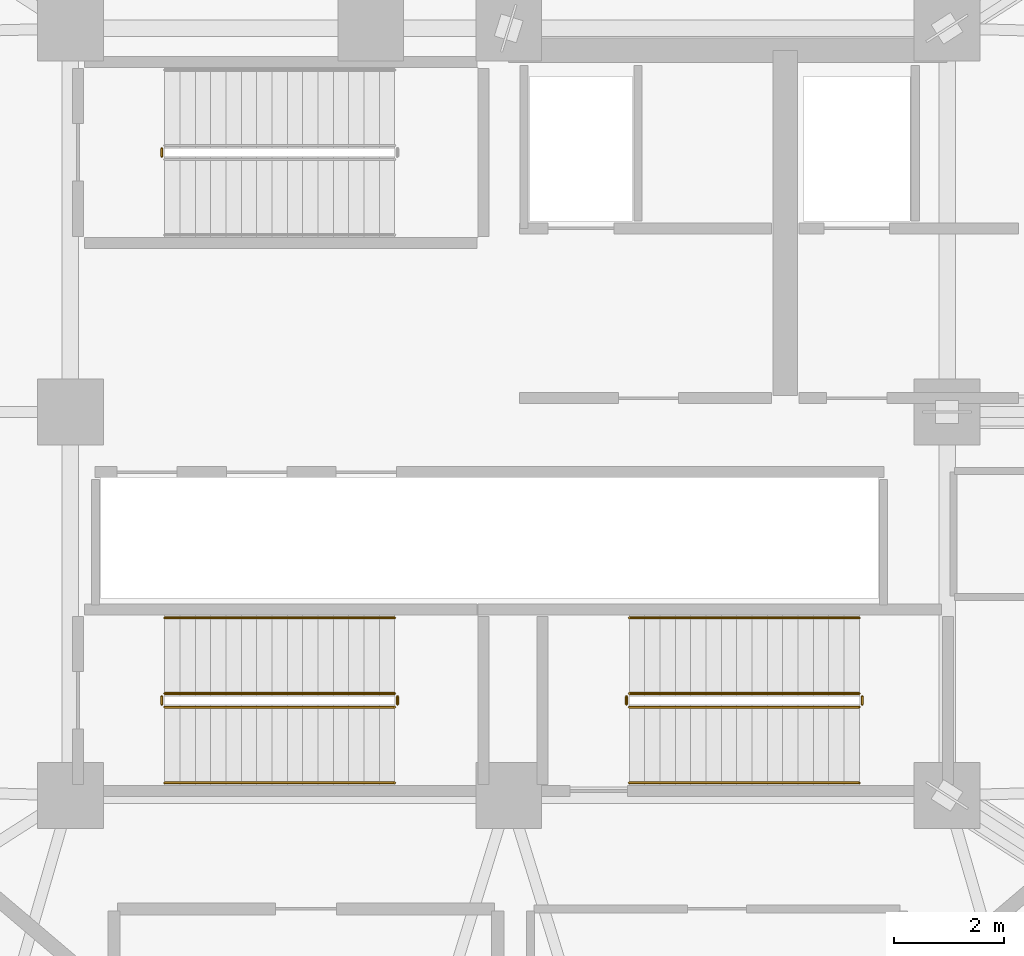
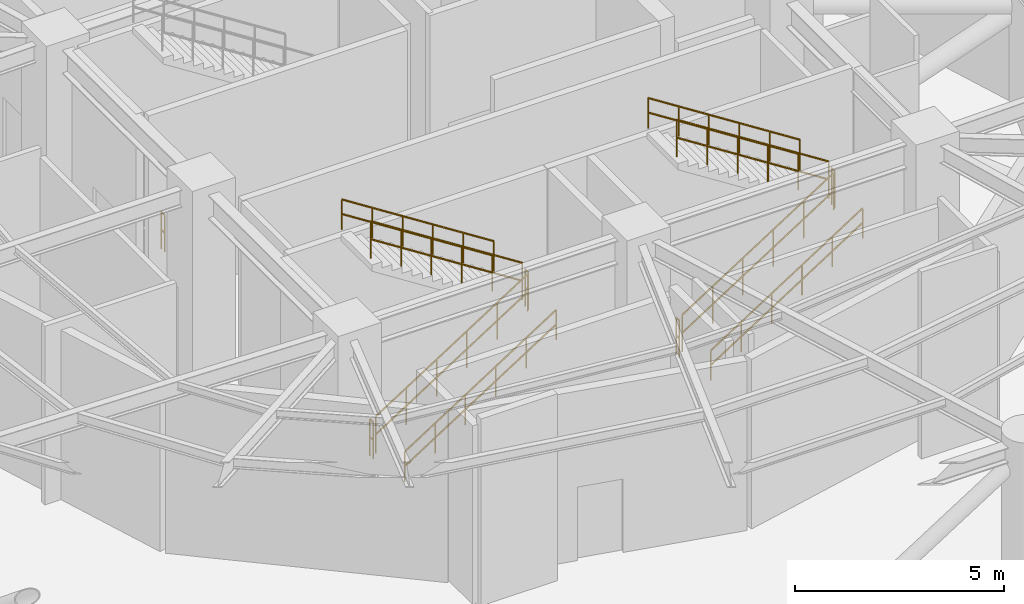
# One storey, part 6 of 7: 13 railings.
"""IFC4 building model written with IfcOpenShell, lengths in metres."""

from ifc_helpers import new_model, si_unit, direction, frame, origin, place, context, subcontext, project, spatial, polyline, outline, extrude, material, type_object, element, save


model = new_model("IFC4")

# Units and contexts
model_context = context("Model", 3, precision=1e-05, world=origin(), true_north=direction((0.0, 1.0)))
body_context = subcontext(model_context, "Body", "Model", "MODEL_VIEW")
ifc_project = project(units=[si_unit("LENGTHUNIT", "METRE"), si_unit("AREAUNIT", "SQUARE_METRE"), si_unit("VOLUMEUNIT", "CUBIC_METRE"), si_unit("PLANEANGLEUNIT", "RADIAN"), si_unit("MASSUNIT", "GRAM", prefix="KILO")], contexts=[model_context])

# Site, building, storey
site_placement = place(None, origin())
site = spatial("IfcSite", under=ifc_project, at=site_placement, CompositionType="ELEMENT")
building_placement = place(site_placement, origin())
building = spatial("IfcBuilding", under=site, at=building_placement, Name="Kelanora Arch Commons", CompositionType="ELEMENT")
storey_placement = place(building_placement, frame((0.0, 0.0, 129.860107421875)))
storey = spatial("IfcBuildingStorey", under=building, at=storey_placement, Name="L33", CompositionType="ELEMENT", Elevation=129.860107421875)

# Railings
ifc_material_1 = material(Name="Painted steel stair well guard", Category="steel")
railing_type_1 = type_object("IfcRailingType", Name="RAIL-STAIR-GRD", PredefinedType="GUARDRAIL", material=ifc_material_1)
railing_1_placement = place(storey_placement, frame((67.669921875, 62.659912109375, 0.0)))
element("IfcRailing", 1, at=railing_1_placement, inside=storey, type_object=railing_type_1, Name="L33 ST-T1 stair guard 4", PredefinedType="GUARDRAIL", context=body_context, shape_type="SweptSolid", body=[
    extrude(outline(polyline([(0.02392578125, 0.0), (0.011962890625, 0.020751953125), (-0.011962890625, 0.020751953125), (-0.02392578125, 0.0), (-0.011962890625, -0.020751953125), (0.011962890625, -0.020751953125), (0.02392578125, 0.0)])), frame((0.0, 0.0, 1.076171875), z_axis=(0.0, 1.0, 0.0), x_axis=(-1.0, 0.0, 0.0)), (0.0, 0.0, 1.0), 0.150146484375),
    extrude(outline(polyline([(0.02392578125, 0.0), (0.011962890625, 0.020751953125), (-0.011962890625, 0.020751953125), (-0.02392578125, 0.0), (-0.011962890625, -0.020751953125), (0.011962890625, -0.020751953125), (0.02392578125, 0.0)])), frame((0.0, 0.0, 0.550048828125), z_axis=(0.0, 1.0, 0.0), x_axis=(-1.0, 0.0, 0.0)), (0.0, 0.0, 1.0), 0.150146484375),
    extrude(outline(polyline([(0.02099609375, 0.0), (0.010498046875, 0.01806640625), (-0.010498046875, 0.01806640625), (-0.02099609375, 0.0), (-0.010498046875, -0.01806640625), (0.010498046875, -0.01806640625), (0.02099609375, 0.0)])), origin(), (0.0, 0.0, 1.0), 1.052001953125),
    extrude(outline(polyline([(0.02099609375, 0.0), (0.010498046875, 0.01806640625), (-0.010498046875, 0.01806640625), (-0.02099609375, 0.0), (-0.010498046875, -0.01806640625), (0.010498046875, -0.01806640625), (0.02099609375, 0.0)])), frame((0.0, 0.150146484375, 0.0)), (0.0, 0.0, 1.0), 1.052001953125),
])
railing_2_placement = place(storey_placement, frame((76.199951171875, 52.610107421875, 0.17919921875)))
element("IfcRailing", 2, at=railing_2_placement, inside=storey, type_object=railing_type_1, Name="L33 ST-T2 stair guard 1", PredefinedType="GUARDRAIL", context=body_context, shape_type="SweptSolid", body=[
    extrude(outline(polyline([(0.02392578125, 0.0), (0.011962890625, 0.020751953125), (-0.011962890625, 0.020751953125), (-0.02392578125, 0.0), (-0.011962890625, -0.020751953125), (0.011962890625, -0.020751953125), (0.02392578125, 0.0)])), frame((0.0, 0.0, 1.076171875), z_axis=(0.842025080683, 0.0, 0.539438377853), x_axis=(0.0, 1.0, 0.0)), (0.0, 0.0, 1.0), 4.988037109375),
    extrude(outline(polyline([(0.02392578125, 0.0), (0.011962890625, 0.020751953125), (-0.011962890625, 0.020751953125), (-0.02392578125, 0.0), (-0.011962890625, -0.020751953125), (0.011962890625, -0.020751953125), (0.02392578125, 0.0)])), frame((0.0, 0.0, 0.550048828125), z_axis=(0.842025080683, 0.0, 0.539438377853), x_axis=(0.0, 1.0, 0.0)), (0.0, 0.0, 1.0), 4.988037109375),
    extrude(outline(polyline([(0.02099609375, 0.0), (0.010498046875, 0.01806640625), (-0.010498046875, 0.01806640625), (-0.02099609375, 0.0), (-0.010498046875, -0.01806640625), (0.010498046875, -0.01806640625), (0.02099609375, 0.0)])), origin(), (0.0, 0.0, 1.0), 1.052001953125),
    extrude(outline(polyline([(0.02099609375, 0.0), (0.010498046875, 0.01806640625), (-0.010498046875, 0.01806640625), (-0.02099609375, 0.0), (-0.010498046875, -0.01806640625), (0.010498046875, -0.01806640625), (0.02099609375, 0.0)])), frame((0.840087890625, 0.0, 0.5380859375)), (0.0, 0.0, 1.0), 1.052001953125),
    extrude(outline(polyline([(0.02099609375, 0.0), (0.010498046875, 0.01806640625), (-0.010498046875, 0.01806640625), (-0.02099609375, 0.0), (-0.010498046875, -0.01806640625), (0.010498046875, -0.01806640625), (0.02099609375, 0.0)])), frame((1.679931640625, 0.0, 1.076171875)), (0.0, 0.0, 1.0), 1.052001953125),
    extrude(outline(polyline([(0.02099609375, 0.0), (0.010498046875, 0.01806640625), (-0.010498046875, 0.01806640625), (-0.02099609375, 0.0), (-0.010498046875, -0.01806640625), (0.010498046875, -0.01806640625), (0.02099609375, 0.0)])), frame((2.52001953125, 0.0, 1.614501953125)), (0.0, 0.0, 1.0), 1.052001953125),
    extrude(outline(polyline([(0.02099609375, 0.0), (0.010498046875, 0.01806640625), (-0.010498046875, 0.01806640625), (-0.02099609375, 0.0), (-0.010498046875, -0.01806640625), (0.010498046875, -0.01806640625), (0.02099609375, 0.0)])), frame((3.35986328125, 0.0, 2.152587890625)), (0.0, 0.0, 1.0), 1.052001953125),
    extrude(outline(polyline([(0.02099609375, 0.0), (0.010498046875, 0.01806640625), (-0.010498046875, 0.01806640625), (-0.02099609375, 0.0), (-0.010498046875, -0.01806640625), (0.010498046875, -0.01806640625), (0.02099609375, 0.0)])), frame((4.199951171875, 0.0, 2.690673828125)), (0.0, 0.0, 1.0), 1.052001953125),
])
railing_3_placement = place(storey_placement, frame((80.449951171875, 52.659912109375, 2.869873046875)))
element("IfcRailing", 3, at=railing_3_placement, inside=storey, type_object=railing_type_1, Name="L33 ST-T2 stair guard 2", PredefinedType="GUARDRAIL", context=body_context, shape_type="SweptSolid", body=[
    extrude(outline(polyline([(0.02392578125, 0.0), (0.011962890625, 0.020751953125), (-0.011962890625, 0.020751953125), (-0.02392578125, 0.0), (-0.011962890625, -0.020751953125), (0.011962890625, -0.020751953125), (0.02392578125, 0.0)])), frame((0.0, 0.0, 1.076171875), z_axis=(0.0, 1.0, 0.0), x_axis=(-1.0, 0.0, 0.0)), (0.0, 0.0, 1.0), 0.150146484375),
    extrude(outline(polyline([(0.02392578125, 0.0), (0.011962890625, 0.020751953125), (-0.011962890625, 0.020751953125), (-0.02392578125, 0.0), (-0.011962890625, -0.020751953125), (0.011962890625, -0.020751953125), (0.02392578125, 0.0)])), frame((0.0, 0.0, 0.550048828125), z_axis=(0.0, 1.0, 0.0), x_axis=(-1.0, 0.0, 0.0)), (0.0, 0.0, 1.0), 0.150146484375),
    extrude(outline(polyline([(0.02099609375, 0.0), (0.010498046875, 0.01806640625), (-0.010498046875, 0.01806640625), (-0.02099609375, 0.0), (-0.010498046875, -0.01806640625), (0.010498046875, -0.01806640625), (0.02099609375, 0.0)])), origin(), (0.0, 0.0, 1.0), 1.052001953125),
    extrude(outline(polyline([(0.02099609375, 0.0), (0.010498046875, 0.01806640625), (-0.010498046875, 0.01806640625), (-0.02099609375, 0.0), (-0.010498046875, -0.01806640625), (0.010498046875, -0.01806640625), (0.02099609375, 0.0)])), frame((0.0, 0.150146484375, 0.0)), (0.0, 0.0, 1.0), 1.052001953125),
])
railing_4_placement = place(storey_placement, frame((80.39990234375, 52.860107421875, 3.04931640625)))
element("IfcRailing", 4, at=railing_4_placement, inside=storey, type_object=railing_type_1, Name="L33 ST-T2 stair guard 3", PredefinedType="GUARDRAIL", context=body_context, shape_type="SweptSolid", body=[
    extrude(outline(polyline([(0.02392578125, 0.0), (0.011962890625, 0.020751953125), (-0.011962890625, 0.020751953125), (-0.02392578125, 0.0), (-0.011962890625, -0.020751953125), (0.011962890625, -0.020751953125), (0.02392578125, 0.0)])), frame((0.0, 0.0, 1.076171875), z_axis=(-0.842025080683, 0.0, 0.539438377853), x_axis=(0.0, -1.0, 0.0)), (0.0, 0.0, 1.0), 4.988037109375),
    extrude(outline(polyline([(0.02392578125, 0.0), (0.011962890625, 0.020751953125), (-0.011962890625, 0.020751953125), (-0.02392578125, 0.0), (-0.011962890625, -0.020751953125), (0.011962890625, -0.020751953125), (0.02392578125, 0.0)])), frame((0.0, 0.0, 0.550048828125), z_axis=(-0.842025080683, 0.0, 0.539438377853), x_axis=(0.0, -1.0, 0.0)), (0.0, 0.0, 1.0), 4.988037109375),
    extrude(outline(polyline([(0.02099609375, 0.0), (0.010498046875, 0.01806640625), (-0.010498046875, 0.01806640625), (-0.02099609375, 0.0), (-0.010498046875, -0.01806640625), (0.010498046875, -0.01806640625), (0.02099609375, 0.0)])), origin(), (0.0, 0.0, 1.0), 1.052001953125),
    extrude(outline(polyline([(0.02099609375, 0.0), (0.010498046875, 0.01806640625), (-0.010498046875, 0.01806640625), (-0.02099609375, 0.0), (-0.010498046875, -0.01806640625), (0.010498046875, -0.01806640625), (0.02099609375, 0.0)])), frame((-0.840087890625, 0.0, 0.5380859375)), (0.0, 0.0, 1.0), 1.052001953125),
    extrude(outline(polyline([(0.02099609375, 0.0), (0.010498046875, 0.01806640625), (-0.010498046875, 0.01806640625), (-0.02099609375, 0.0), (-0.010498046875, -0.01806640625), (0.010498046875, -0.01806640625), (0.02099609375, 0.0)])), frame((-1.679931640625, 0.0, 1.076171875)), (0.0, 0.0, 1.0), 1.052001953125),
    extrude(outline(polyline([(0.02099609375, 0.0), (0.010498046875, 0.01806640625), (-0.010498046875, 0.01806640625), (-0.02099609375, 0.0), (-0.010498046875, -0.01806640625), (0.010498046875, -0.01806640625), (0.02099609375, 0.0)])), frame((-2.52001953125, 0.0, 1.614501953125)), (0.0, 0.0, 1.0), 1.052001953125),
    extrude(outline(polyline([(0.02099609375, 0.0), (0.010498046875, 0.01806640625), (-0.010498046875, 0.01806640625), (-0.02099609375, 0.0), (-0.010498046875, -0.01806640625), (0.010498046875, -0.01806640625), (0.02099609375, 0.0)])), frame((-3.35986328125, 0.0, 2.152587890625)), (0.0, 0.0, 1.0), 1.052001953125),
    extrude(outline(polyline([(0.02099609375, 0.0), (0.010498046875, 0.01806640625), (-0.010498046875, 0.01806640625), (-0.02099609375, 0.0), (-0.010498046875, -0.01806640625), (0.010498046875, -0.01806640625), (0.02099609375, 0.0)])), frame((-4.199951171875, 0.0, 2.690673828125)), (0.0, 0.0, 1.0), 1.052001953125),
])
railing_5_placement = place(storey_placement, frame((76.14990234375, 52.659912109375, 0.0)))
element("IfcRailing", 5, at=railing_5_placement, inside=storey, type_object=railing_type_1, Name="L33 ST-T2 stair guard 4", PredefinedType="GUARDRAIL", context=body_context, shape_type="SweptSolid", body=[
    extrude(outline(polyline([(0.02392578125, 0.0), (0.011962890625, 0.020751953125), (-0.011962890625, 0.020751953125), (-0.02392578125, 0.0), (-0.011962890625, -0.020751953125), (0.011962890625, -0.020751953125), (0.02392578125, 0.0)])), frame((0.0, 0.0, 1.076171875), z_axis=(0.0, 1.0, 0.0), x_axis=(-1.0, 0.0, 0.0)), (0.0, 0.0, 1.0), 0.150146484375),
    extrude(outline(polyline([(0.02392578125, 0.0), (0.011962890625, 0.020751953125), (-0.011962890625, 0.020751953125), (-0.02392578125, 0.0), (-0.011962890625, -0.020751953125), (0.011962890625, -0.020751953125), (0.02392578125, 0.0)])), frame((0.0, 0.0, 0.550048828125), z_axis=(0.0, 1.0, 0.0), x_axis=(-1.0, 0.0, 0.0)), (0.0, 0.0, 1.0), 0.150146484375),
    extrude(outline(polyline([(0.02099609375, 0.0), (0.010498046875, 0.01806640625), (-0.010498046875, 0.01806640625), (-0.02099609375, 0.0), (-0.010498046875, -0.01806640625), (0.010498046875, -0.01806640625), (0.02099609375, 0.0)])), origin(), (0.0, 0.0, 1.0), 1.052001953125),
    extrude(outline(polyline([(0.02099609375, 0.0), (0.010498046875, 0.01806640625), (-0.010498046875, 0.01806640625), (-0.02099609375, 0.0), (-0.010498046875, -0.01806640625), (0.010498046875, -0.01806640625), (0.02099609375, 0.0)])), frame((0.0, 0.150146484375, 0.0)), (0.0, 0.0, 1.0), 1.052001953125),
])
railing_6_placement = place(storey_placement, frame((67.719970703125, 52.610107421875, 0.17919921875)))
element("IfcRailing", 6, at=railing_6_placement, inside=storey, type_object=railing_type_1, Name="L33 ST-T3 stair guard 1", PredefinedType="GUARDRAIL", context=body_context, shape_type="SweptSolid", body=[
    extrude(outline(polyline([(0.02392578125, 0.0), (0.011962890625, 0.020751953125), (-0.011962890625, 0.020751953125), (-0.02392578125, 0.0), (-0.011962890625, -0.020751953125), (0.011962890625, -0.020751953125), (0.02392578125, 0.0)])), frame((0.0, 0.0, 1.076171875), z_axis=(0.842025080683, 0.0, 0.539438377853), x_axis=(0.0, 1.0, 0.0)), (0.0, 0.0, 1.0), 4.988037109375),
    extrude(outline(polyline([(0.02392578125, 0.0), (0.011962890625, 0.020751953125), (-0.011962890625, 0.020751953125), (-0.02392578125, 0.0), (-0.011962890625, -0.020751953125), (0.011962890625, -0.020751953125), (0.02392578125, 0.0)])), frame((0.0, 0.0, 0.550048828125), z_axis=(0.842025080683, 0.0, 0.539438377853), x_axis=(0.0, 1.0, 0.0)), (0.0, 0.0, 1.0), 4.988037109375),
    extrude(outline(polyline([(0.02099609375, 0.0), (0.010498046875, 0.01806640625), (-0.010498046875, 0.01806640625), (-0.02099609375, 0.0), (-0.010498046875, -0.01806640625), (0.010498046875, -0.01806640625), (0.02099609375, 0.0)])), origin(), (0.0, 0.0, 1.0), 1.052001953125),
    extrude(outline(polyline([(0.02099609375, 0.0), (0.010498046875, 0.01806640625), (-0.010498046875, 0.01806640625), (-0.02099609375, 0.0), (-0.010498046875, -0.01806640625), (0.010498046875, -0.01806640625), (0.02099609375, 0.0)])), frame((0.840087890625, 0.0, 0.5380859375)), (0.0, 0.0, 1.0), 1.052001953125),
    extrude(outline(polyline([(0.02099609375, 0.0), (0.010498046875, 0.01806640625), (-0.010498046875, 0.01806640625), (-0.02099609375, 0.0), (-0.010498046875, -0.01806640625), (0.010498046875, -0.01806640625), (0.02099609375, 0.0)])), frame((1.679931640625, 0.0, 1.076171875)), (0.0, 0.0, 1.0), 1.052001953125),
    extrude(outline(polyline([(0.02099609375, 0.0), (0.010498046875, 0.01806640625), (-0.010498046875, 0.01806640625), (-0.02099609375, 0.0), (-0.010498046875, -0.01806640625), (0.010498046875, -0.01806640625), (0.02099609375, 0.0)])), frame((2.52001953125, 0.0, 1.614501953125)), (0.0, 0.0, 1.0), 1.052001953125),
    extrude(outline(polyline([(0.02099609375, 0.0), (0.010498046875, 0.01806640625), (-0.010498046875, 0.01806640625), (-0.02099609375, 0.0), (-0.010498046875, -0.01806640625), (0.010498046875, -0.01806640625), (0.02099609375, 0.0)])), frame((3.35986328125, 0.0, 2.152587890625)), (0.0, 0.0, 1.0), 1.052001953125),
    extrude(outline(polyline([(0.02099609375, 0.0), (0.010498046875, 0.01806640625), (-0.010498046875, 0.01806640625), (-0.02099609375, 0.0), (-0.010498046875, -0.01806640625), (0.010498046875, -0.01806640625), (0.02099609375, 0.0)])), frame((4.199951171875, 0.0, 2.690673828125)), (0.0, 0.0, 1.0), 1.052001953125),
])
railing_7_placement = place(storey_placement, frame((71.969970703125, 52.659912109375, 2.869873046875)))
element("IfcRailing", 7, at=railing_7_placement, inside=storey, type_object=railing_type_1, Name="L33 ST-T3 stair guard 2", PredefinedType="GUARDRAIL", context=body_context, shape_type="SweptSolid", body=[
    extrude(outline(polyline([(0.02392578125, 0.0), (0.011962890625, 0.020751953125), (-0.011962890625, 0.020751953125), (-0.02392578125, 0.0), (-0.011962890625, -0.020751953125), (0.011962890625, -0.020751953125), (0.02392578125, 0.0)])), frame((0.0, 0.0, 1.076171875), z_axis=(0.0, 1.0, 0.0), x_axis=(-1.0, 0.0, 0.0)), (0.0, 0.0, 1.0), 0.150146484375),
    extrude(outline(polyline([(0.02392578125, 0.0), (0.011962890625, 0.020751953125), (-0.011962890625, 0.020751953125), (-0.02392578125, 0.0), (-0.011962890625, -0.020751953125), (0.011962890625, -0.020751953125), (0.02392578125, 0.0)])), frame((0.0, 0.0, 0.550048828125), z_axis=(0.0, 1.0, 0.0), x_axis=(-1.0, 0.0, 0.0)), (0.0, 0.0, 1.0), 0.150146484375),
    extrude(outline(polyline([(0.02099609375, 0.0), (0.010498046875, 0.01806640625), (-0.010498046875, 0.01806640625), (-0.02099609375, 0.0), (-0.010498046875, -0.01806640625), (0.010498046875, -0.01806640625), (0.02099609375, 0.0)])), origin(), (0.0, 0.0, 1.0), 1.052001953125),
    extrude(outline(polyline([(0.02099609375, 0.0), (0.010498046875, 0.01806640625), (-0.010498046875, 0.01806640625), (-0.02099609375, 0.0), (-0.010498046875, -0.01806640625), (0.010498046875, -0.01806640625), (0.02099609375, 0.0)])), frame((0.0, 0.150146484375, 0.0)), (0.0, 0.0, 1.0), 1.052001953125),
])
railing_8_placement = place(storey_placement, frame((71.919921875, 52.860107421875, 3.04931640625)))
element("IfcRailing", 8, at=railing_8_placement, inside=storey, type_object=railing_type_1, Name="L33 ST-T3 stair guard 3", PredefinedType="GUARDRAIL", context=body_context, shape_type="SweptSolid", body=[
    extrude(outline(polyline([(0.02392578125, 0.0), (0.011962890625, 0.020751953125), (-0.011962890625, 0.020751953125), (-0.02392578125, 0.0), (-0.011962890625, -0.020751953125), (0.011962890625, -0.020751953125), (0.02392578125, 0.0)])), frame((0.0, 0.0, 1.076171875), z_axis=(-0.842025080683, 0.0, 0.539438377853), x_axis=(0.0, -1.0, 0.0)), (0.0, 0.0, 1.0), 4.988037109375),
    extrude(outline(polyline([(0.02392578125, 0.0), (0.011962890625, 0.020751953125), (-0.011962890625, 0.020751953125), (-0.02392578125, 0.0), (-0.011962890625, -0.020751953125), (0.011962890625, -0.020751953125), (0.02392578125, 0.0)])), frame((0.0, 0.0, 0.550048828125), z_axis=(-0.842025080683, 0.0, 0.539438377853), x_axis=(0.0, -1.0, 0.0)), (0.0, 0.0, 1.0), 4.988037109375),
    extrude(outline(polyline([(0.02099609375, 0.0), (0.010498046875, 0.01806640625), (-0.010498046875, 0.01806640625), (-0.02099609375, 0.0), (-0.010498046875, -0.01806640625), (0.010498046875, -0.01806640625), (0.02099609375, 0.0)])), origin(), (0.0, 0.0, 1.0), 1.052001953125),
    extrude(outline(polyline([(0.02099609375, 0.0), (0.010498046875, 0.01806640625), (-0.010498046875, 0.01806640625), (-0.02099609375, 0.0), (-0.010498046875, -0.01806640625), (0.010498046875, -0.01806640625), (0.02099609375, 0.0)])), frame((-0.840087890625, 0.0, 0.5380859375)), (0.0, 0.0, 1.0), 1.052001953125),
    extrude(outline(polyline([(0.02099609375, 0.0), (0.010498046875, 0.01806640625), (-0.010498046875, 0.01806640625), (-0.02099609375, 0.0), (-0.010498046875, -0.01806640625), (0.010498046875, -0.01806640625), (0.02099609375, 0.0)])), frame((-1.679931640625, 0.0, 1.076171875)), (0.0, 0.0, 1.0), 1.052001953125),
    extrude(outline(polyline([(0.02099609375, 0.0), (0.010498046875, 0.01806640625), (-0.010498046875, 0.01806640625), (-0.02099609375, 0.0), (-0.010498046875, -0.01806640625), (0.010498046875, -0.01806640625), (0.02099609375, 0.0)])), frame((-2.52001953125, 0.0, 1.614501953125)), (0.0, 0.0, 1.0), 1.052001953125),
    extrude(outline(polyline([(0.02099609375, 0.0), (0.010498046875, 0.01806640625), (-0.010498046875, 0.01806640625), (-0.02099609375, 0.0), (-0.010498046875, -0.01806640625), (0.010498046875, -0.01806640625), (0.02099609375, 0.0)])), frame((-3.35986328125, 0.0, 2.152587890625)), (0.0, 0.0, 1.0), 1.052001953125),
    extrude(outline(polyline([(0.02099609375, 0.0), (0.010498046875, 0.01806640625), (-0.010498046875, 0.01806640625), (-0.02099609375, 0.0), (-0.010498046875, -0.01806640625), (0.010498046875, -0.01806640625), (0.02099609375, 0.0)])), frame((-4.199951171875, 0.0, 2.690673828125)), (0.0, 0.0, 1.0), 1.052001953125),
])
railing_9_placement = place(storey_placement, frame((67.669921875, 52.659912109375, 0.0)))
element("IfcRailing", 9, at=railing_9_placement, inside=storey, type_object=railing_type_1, Name="L33 ST-T3 stair guard 4", PredefinedType="GUARDRAIL", context=body_context, shape_type="SweptSolid", body=[
    extrude(outline(polyline([(0.02392578125, 0.0), (0.011962890625, 0.020751953125), (-0.011962890625, 0.020751953125), (-0.02392578125, 0.0), (-0.011962890625, -0.020751953125), (0.011962890625, -0.020751953125), (0.02392578125, 0.0)])), frame((0.0, 0.0, 1.076171875), z_axis=(0.0, 1.0, 0.0), x_axis=(-1.0, 0.0, 0.0)), (0.0, 0.0, 1.0), 0.150146484375),
    extrude(outline(polyline([(0.02392578125, 0.0), (0.011962890625, 0.020751953125), (-0.011962890625, 0.020751953125), (-0.02392578125, 0.0), (-0.011962890625, -0.020751953125), (0.011962890625, -0.020751953125), (0.02392578125, 0.0)])), frame((0.0, 0.0, 0.550048828125), z_axis=(0.0, 1.0, 0.0), x_axis=(-1.0, 0.0, 0.0)), (0.0, 0.0, 1.0), 0.150146484375),
    extrude(outline(polyline([(0.02099609375, 0.0), (0.010498046875, 0.01806640625), (-0.010498046875, 0.01806640625), (-0.02099609375, 0.0), (-0.010498046875, -0.01806640625), (0.010498046875, -0.01806640625), (0.02099609375, 0.0)])), origin(), (0.0, 0.0, 1.0), 1.052001953125),
    extrude(outline(polyline([(0.02099609375, 0.0), (0.010498046875, 0.01806640625), (-0.010498046875, 0.01806640625), (-0.02099609375, 0.0), (-0.010498046875, -0.01806640625), (0.010498046875, -0.01806640625), (0.02099609375, 0.0)])), frame((0.0, 0.150146484375, 0.0)), (0.0, 0.0, 1.0), 1.052001953125),
])
ifc_material_2 = material(Name="Brushed stainless steel stair handrail", Category="steel")
railing_type_2 = type_object("IfcRailingType", Name="RAIL-STAIR-HND", PredefinedType="HANDRAIL", material=ifc_material_2)
railing_10_placement = place(storey_placement, frame((76.199951171875, 51.22998046875, 0.17919921875)))
element("IfcRailing", 10, at=railing_10_placement, inside=storey, type_object=railing_type_2, Name="L33 ST-T2 stair handrail 1", PredefinedType="HANDRAIL", context=body_context, shape_type="SweptSolid", body=[
    extrude(outline(polyline([(0.02392578125, 0.0), (0.011962890625, 0.020751953125), (-0.011962890625, 0.020751953125), (-0.02392578125, 0.0), (-0.011962890625, -0.020751953125), (0.011962890625, -0.020751953125), (0.02392578125, 0.0)])), frame((0.0, 0.0, 0.8759765625), z_axis=(0.842025080683, 0.0, 0.539438377853), x_axis=(0.0, 1.0, 0.0)), (0.0, 0.0, 1.0), 4.988037109375),
    extrude(outline(polyline([(0.02392578125, 0.0), (0.011962890625, 0.020751953125), (-0.011962890625, 0.020751953125), (-0.02392578125, 0.0), (-0.011962890625, -0.020751953125), (0.011962890625, -0.020751953125), (0.02392578125, 0.0)])), frame((0.0, 0.0, 0.449951171875), z_axis=(0.842025080683, 0.0, 0.539438377853), x_axis=(0.0, 1.0, 0.0)), (0.0, 0.0, 1.0), 4.988037109375),
    extrude(outline(polyline([(0.02099609375, 0.0), (0.010498046875, 0.01806640625), (-0.010498046875, 0.01806640625), (-0.02099609375, 0.0), (-0.010498046875, -0.01806640625), (0.010498046875, -0.01806640625), (0.02099609375, 0.0)])), origin(), (0.0, 0.0, 1.0), 0.851806640625),
    extrude(outline(polyline([(0.02099609375, 0.0), (0.010498046875, 0.01806640625), (-0.010498046875, 0.01806640625), (-0.02099609375, 0.0), (-0.010498046875, -0.01806640625), (0.010498046875, -0.01806640625), (0.02099609375, 0.0)])), frame((0.840087890625, 0.0, 0.5380859375)), (0.0, 0.0, 1.0), 0.851806640625),
    extrude(outline(polyline([(0.02099609375, 0.0), (0.010498046875, 0.01806640625), (-0.010498046875, 0.01806640625), (-0.02099609375, 0.0), (-0.010498046875, -0.01806640625), (0.010498046875, -0.01806640625), (0.02099609375, 0.0)])), frame((1.679931640625, 0.0, 1.076171875)), (0.0, 0.0, 1.0), 0.851806640625),
    extrude(outline(polyline([(0.02099609375, 0.0), (0.010498046875, 0.01806640625), (-0.010498046875, 0.01806640625), (-0.02099609375, 0.0), (-0.010498046875, -0.01806640625), (0.010498046875, -0.01806640625), (0.02099609375, 0.0)])), frame((2.52001953125, 0.0, 1.614501953125)), (0.0, 0.0, 1.0), 0.851806640625),
    extrude(outline(polyline([(0.02099609375, 0.0), (0.010498046875, 0.01806640625), (-0.010498046875, 0.01806640625), (-0.02099609375, 0.0), (-0.010498046875, -0.01806640625), (0.010498046875, -0.01806640625), (0.02099609375, 0.0)])), frame((3.35986328125, 0.0, 2.152587890625)), (0.0, 0.0, 1.0), 0.851806640625),
    extrude(outline(polyline([(0.02099609375, 0.0), (0.010498046875, 0.01806640625), (-0.010498046875, 0.01806640625), (-0.02099609375, 0.0), (-0.010498046875, -0.01806640625), (0.010498046875, -0.01806640625), (0.02099609375, 0.0)])), frame((4.199951171875, 0.0, 2.690673828125)), (0.0, 0.0, 1.0), 0.851806640625),
])
railing_11_placement = place(storey_placement, frame((80.39990234375, 54.239990234375, 3.04931640625)))
element("IfcRailing", 11, at=railing_11_placement, inside=storey, type_object=railing_type_2, Name="L33 ST-T2 stair handrail 2", PredefinedType="HANDRAIL", context=body_context, shape_type="SweptSolid", body=[
    extrude(outline(polyline([(0.02392578125, 0.0), (0.011962890625, 0.020751953125), (-0.011962890625, 0.020751953125), (-0.02392578125, 0.0), (-0.011962890625, -0.020751953125), (0.011962890625, -0.020751953125), (0.02392578125, 0.0)])), frame((0.0, 0.0, 0.8759765625), z_axis=(-0.842025080683, 0.0, 0.539438377853), x_axis=(0.0, -1.0, 0.0)), (0.0, 0.0, 1.0), 4.988037109375),
    extrude(outline(polyline([(0.02392578125, 0.0), (0.011962890625, 0.020751953125), (-0.011962890625, 0.020751953125), (-0.02392578125, 0.0), (-0.011962890625, -0.020751953125), (0.011962890625, -0.020751953125), (0.02392578125, 0.0)])), frame((0.0, 0.0, 0.449951171875), z_axis=(-0.842025080683, 0.0, 0.539438377853), x_axis=(0.0, -1.0, 0.0)), (0.0, 0.0, 1.0), 4.988037109375),
    extrude(outline(polyline([(0.02099609375, 0.0), (0.010498046875, 0.01806640625), (-0.010498046875, 0.01806640625), (-0.02099609375, 0.0), (-0.010498046875, -0.01806640625), (0.010498046875, -0.01806640625), (0.02099609375, 0.0)])), origin(), (0.0, 0.0, 1.0), 0.851806640625),
    extrude(outline(polyline([(0.02099609375, 0.0), (0.010498046875, 0.01806640625), (-0.010498046875, 0.01806640625), (-0.02099609375, 0.0), (-0.010498046875, -0.01806640625), (0.010498046875, -0.01806640625), (0.02099609375, 0.0)])), frame((-0.840087890625, 0.0, 0.5380859375)), (0.0, 0.0, 1.0), 0.851806640625),
    extrude(outline(polyline([(0.02099609375, 0.0), (0.010498046875, 0.01806640625), (-0.010498046875, 0.01806640625), (-0.02099609375, 0.0), (-0.010498046875, -0.01806640625), (0.010498046875, -0.01806640625), (0.02099609375, 0.0)])), frame((-1.679931640625, 0.0, 1.076171875)), (0.0, 0.0, 1.0), 0.851806640625),
    extrude(outline(polyline([(0.02099609375, 0.0), (0.010498046875, 0.01806640625), (-0.010498046875, 0.01806640625), (-0.02099609375, 0.0), (-0.010498046875, -0.01806640625), (0.010498046875, -0.01806640625), (0.02099609375, 0.0)])), frame((-2.52001953125, 0.0, 1.614501953125)), (0.0, 0.0, 1.0), 0.851806640625),
    extrude(outline(polyline([(0.02099609375, 0.0), (0.010498046875, 0.01806640625), (-0.010498046875, 0.01806640625), (-0.02099609375, 0.0), (-0.010498046875, -0.01806640625), (0.010498046875, -0.01806640625), (0.02099609375, 0.0)])), frame((-3.35986328125, 0.0, 2.152587890625)), (0.0, 0.0, 1.0), 0.851806640625),
    extrude(outline(polyline([(0.02099609375, 0.0), (0.010498046875, 0.01806640625), (-0.010498046875, 0.01806640625), (-0.02099609375, 0.0), (-0.010498046875, -0.01806640625), (0.010498046875, -0.01806640625), (0.02099609375, 0.0)])), frame((-4.199951171875, 0.0, 2.690673828125)), (0.0, 0.0, 1.0), 0.851806640625),
])
railing_12_placement = place(storey_placement, frame((67.719970703125, 51.22998046875, 0.17919921875)))
element("IfcRailing", 12, at=railing_12_placement, inside=storey, type_object=railing_type_2, Name="L33 ST-T3 stair handrail 1", PredefinedType="HANDRAIL", context=body_context, shape_type="SweptSolid", body=[
    extrude(outline(polyline([(0.02392578125, 0.0), (0.011962890625, 0.020751953125), (-0.011962890625, 0.020751953125), (-0.02392578125, 0.0), (-0.011962890625, -0.020751953125), (0.011962890625, -0.020751953125), (0.02392578125, 0.0)])), frame((0.0, 0.0, 0.8759765625), z_axis=(0.842025080683, 0.0, 0.539438377853), x_axis=(0.0, 1.0, 0.0)), (0.0, 0.0, 1.0), 4.988037109375),
    extrude(outline(polyline([(0.02392578125, 0.0), (0.011962890625, 0.020751953125), (-0.011962890625, 0.020751953125), (-0.02392578125, 0.0), (-0.011962890625, -0.020751953125), (0.011962890625, -0.020751953125), (0.02392578125, 0.0)])), frame((0.0, 0.0, 0.449951171875), z_axis=(0.842025080683, 0.0, 0.539438377853), x_axis=(0.0, 1.0, 0.0)), (0.0, 0.0, 1.0), 4.988037109375),
    extrude(outline(polyline([(0.02099609375, 0.0), (0.010498046875, 0.01806640625), (-0.010498046875, 0.01806640625), (-0.02099609375, 0.0), (-0.010498046875, -0.01806640625), (0.010498046875, -0.01806640625), (0.02099609375, 0.0)])), origin(), (0.0, 0.0, 1.0), 0.851806640625),
    extrude(outline(polyline([(0.02099609375, 0.0), (0.010498046875, 0.01806640625), (-0.010498046875, 0.01806640625), (-0.02099609375, 0.0), (-0.010498046875, -0.01806640625), (0.010498046875, -0.01806640625), (0.02099609375, 0.0)])), frame((0.840087890625, 0.0, 0.5380859375)), (0.0, 0.0, 1.0), 0.851806640625),
    extrude(outline(polyline([(0.02099609375, 0.0), (0.010498046875, 0.01806640625), (-0.010498046875, 0.01806640625), (-0.02099609375, 0.0), (-0.010498046875, -0.01806640625), (0.010498046875, -0.01806640625), (0.02099609375, 0.0)])), frame((1.679931640625, 0.0, 1.076171875)), (0.0, 0.0, 1.0), 0.851806640625),
    extrude(outline(polyline([(0.02099609375, 0.0), (0.010498046875, 0.01806640625), (-0.010498046875, 0.01806640625), (-0.02099609375, 0.0), (-0.010498046875, -0.01806640625), (0.010498046875, -0.01806640625), (0.02099609375, 0.0)])), frame((2.52001953125, 0.0, 1.614501953125)), (0.0, 0.0, 1.0), 0.851806640625),
    extrude(outline(polyline([(0.02099609375, 0.0), (0.010498046875, 0.01806640625), (-0.010498046875, 0.01806640625), (-0.02099609375, 0.0), (-0.010498046875, -0.01806640625), (0.010498046875, -0.01806640625), (0.02099609375, 0.0)])), frame((3.35986328125, 0.0, 2.152587890625)), (0.0, 0.0, 1.0), 0.851806640625),
    extrude(outline(polyline([(0.02099609375, 0.0), (0.010498046875, 0.01806640625), (-0.010498046875, 0.01806640625), (-0.02099609375, 0.0), (-0.010498046875, -0.01806640625), (0.010498046875, -0.01806640625), (0.02099609375, 0.0)])), frame((4.199951171875, 0.0, 2.690673828125)), (0.0, 0.0, 1.0), 0.851806640625),
])
railing_13_placement = place(storey_placement, frame((71.919921875, 54.239990234375, 3.04931640625)))
element("IfcRailing", 13, at=railing_13_placement, inside=storey, type_object=railing_type_2, Name="L33 ST-T3 stair handrail 2", PredefinedType="HANDRAIL", context=body_context, shape_type="SweptSolid", body=[
    extrude(outline(polyline([(0.02392578125, 0.0), (0.011962890625, 0.020751953125), (-0.011962890625, 0.020751953125), (-0.02392578125, 0.0), (-0.011962890625, -0.020751953125), (0.011962890625, -0.020751953125), (0.02392578125, 0.0)])), frame((0.0, 0.0, 0.8759765625), z_axis=(-0.842025080683, 0.0, 0.539438377853), x_axis=(0.0, -1.0, 0.0)), (0.0, 0.0, 1.0), 4.988037109375),
    extrude(outline(polyline([(0.02392578125, 0.0), (0.011962890625, 0.020751953125), (-0.011962890625, 0.020751953125), (-0.02392578125, 0.0), (-0.011962890625, -0.020751953125), (0.011962890625, -0.020751953125), (0.02392578125, 0.0)])), frame((0.0, 0.0, 0.449951171875), z_axis=(-0.842025080683, 0.0, 0.539438377853), x_axis=(0.0, -1.0, 0.0)), (0.0, 0.0, 1.0), 4.988037109375),
    extrude(outline(polyline([(0.02099609375, 0.0), (0.010498046875, 0.01806640625), (-0.010498046875, 0.01806640625), (-0.02099609375, 0.0), (-0.010498046875, -0.01806640625), (0.010498046875, -0.01806640625), (0.02099609375, 0.0)])), origin(), (0.0, 0.0, 1.0), 0.851806640625),
    extrude(outline(polyline([(0.02099609375, 0.0), (0.010498046875, 0.01806640625), (-0.010498046875, 0.01806640625), (-0.02099609375, 0.0), (-0.010498046875, -0.01806640625), (0.010498046875, -0.01806640625), (0.02099609375, 0.0)])), frame((-0.840087890625, 0.0, 0.5380859375)), (0.0, 0.0, 1.0), 0.851806640625),
    extrude(outline(polyline([(0.02099609375, 0.0), (0.010498046875, 0.01806640625), (-0.010498046875, 0.01806640625), (-0.02099609375, 0.0), (-0.010498046875, -0.01806640625), (0.010498046875, -0.01806640625), (0.02099609375, 0.0)])), frame((-1.679931640625, 0.0, 1.076171875)), (0.0, 0.0, 1.0), 0.851806640625),
    extrude(outline(polyline([(0.02099609375, 0.0), (0.010498046875, 0.01806640625), (-0.010498046875, 0.01806640625), (-0.02099609375, 0.0), (-0.010498046875, -0.01806640625), (0.010498046875, -0.01806640625), (0.02099609375, 0.0)])), frame((-2.52001953125, 0.0, 1.614501953125)), (0.0, 0.0, 1.0), 0.851806640625),
    extrude(outline(polyline([(0.02099609375, 0.0), (0.010498046875, 0.01806640625), (-0.010498046875, 0.01806640625), (-0.02099609375, 0.0), (-0.010498046875, -0.01806640625), (0.010498046875, -0.01806640625), (0.02099609375, 0.0)])), frame((-3.35986328125, 0.0, 2.152587890625)), (0.0, 0.0, 1.0), 0.851806640625),
    extrude(outline(polyline([(0.02099609375, 0.0), (0.010498046875, 0.01806640625), (-0.010498046875, 0.01806640625), (-0.02099609375, 0.0), (-0.010498046875, -0.01806640625), (0.010498046875, -0.01806640625), (0.02099609375, 0.0)])), frame((-4.199951171875, 0.0, 2.690673828125)), (0.0, 0.0, 1.0), 0.851806640625),
])

save(model, "model.ifc")
